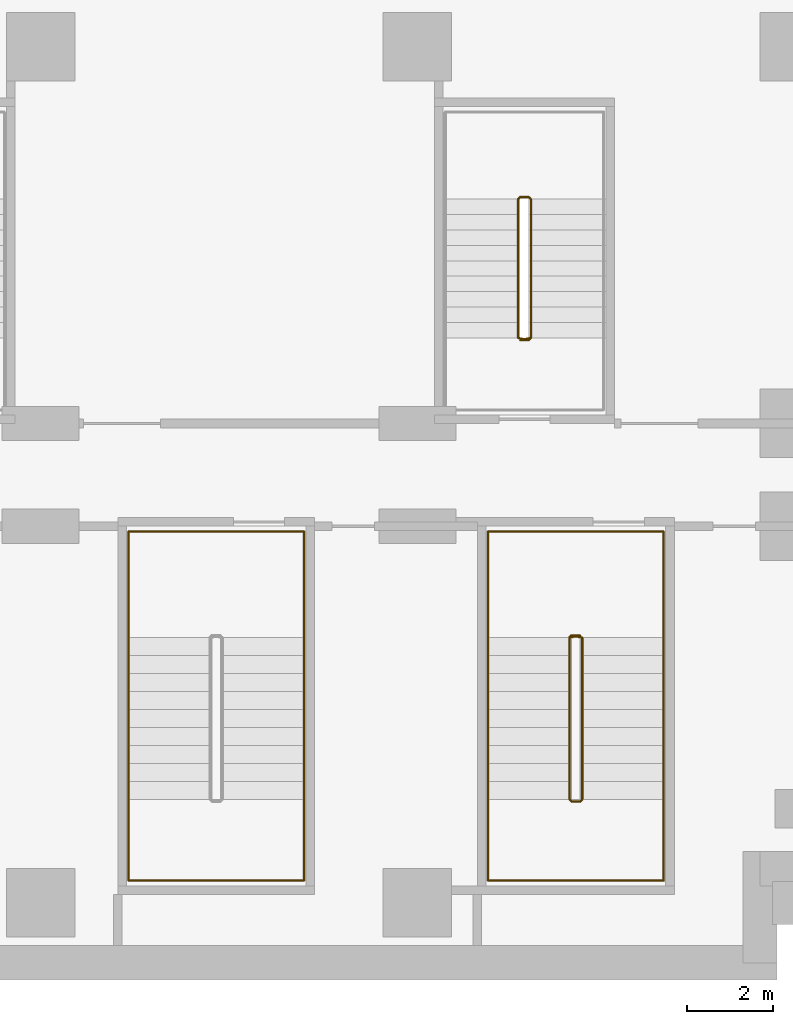
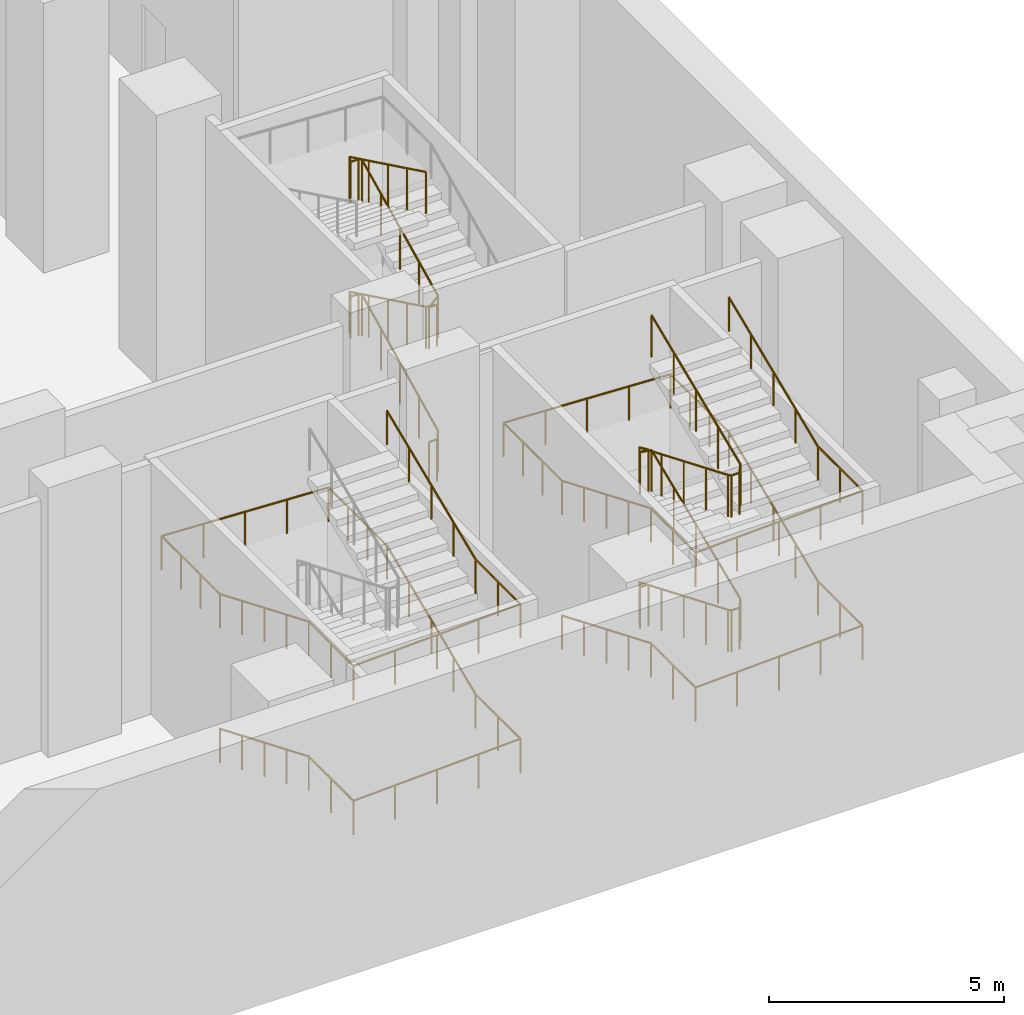
# One storey, part 14 of 15: 4 railings.
"""IFC4 building model written with IfcOpenShell, lengths in metres."""

from ifc_helpers import new_model, si_unit, direction, frame, origin, origin_2d, place, context, subcontext, project, spatial, circle, extrude, material, type_object, element, save


model = new_model("IFC4")

# Units and contexts
model_context = context("Model", 3, precision=1e-05, world=origin(), true_north=direction((0.0, 1.0)))
body_context = subcontext(model_context, "Body", "Model", "MODEL_VIEW")
ifc_project = project(units=[si_unit("LENGTHUNIT", "METRE"), si_unit("AREAUNIT", "SQUARE_METRE"), si_unit("VOLUMEUNIT", "CUBIC_METRE"), si_unit("PLANEANGLEUNIT", "RADIAN"), si_unit("MASSUNIT", "GRAM", prefix="KILO")], contexts=[model_context])

# Site, building, storey
site_placement = place(None, origin())
site = spatial("IfcSite", under=ifc_project, at=site_placement, CompositionType="ELEMENT")
building_placement = place(site_placement, origin())
building = spatial("IfcBuilding", under=site, at=building_placement, Name="Kemantara Hotel Tower", CompositionType="ELEMENT")
storey_placement = place(building_placement, frame((0.0, 0.0, -7.0)))
storey = spatial("IfcBuildingStorey", under=building, at=storey_placement, Name="B1", CompositionType="ELEMENT", Elevation=-7.0)

# Railings
ifc_material = material(Name="Stainless steel balustrade", Category="steel")
railing_type_1 = type_object("IfcRailingType", Name="Stair guard 1100 mm", PredefinedType="GUARDRAIL", material=ifc_material)
railing_1_placement = place(storey_placement, frame((73.75, 14.199951171875, 7.0)))
element("IfcRailing", 1, at=railing_1_placement, inside=storey, type_object=railing_type_1, Name="B1 ST5 stair guard 1", PredefinedType="GUARDRAIL", context=body_context, shape_type="SweptSolid", body=[
    extrude(circle(Radius=0.02392578125, at=origin_2d()), frame((0.0, 0.0, 1.076171875), z_axis=(0.0, 0.899372665325, -0.437182809435), x_axis=(-1.0, 0.0, 0.0)), (0.0, 0.0, 1.0), 3.6025390625),
    extrude(circle(Radius=0.02392578125, at=origin_2d()), frame((0.0, 3.239990234375, -0.4990234375), z_axis=(0.265065253269, 0.265065253269, -0.927081885822), x_axis=(-0.707106781187, 0.707106781187, 0.0)), (0.0, 0.0, 1.0), 0.188720703125),
    extrude(circle(Radius=0.02392578125, at=origin_2d()), frame((0.050048828125, 3.2900390625, -0.673828125), z_axis=(1.0, 0.0, 0.0), x_axis=(0.0, 1.0, 0.0)), (0.0, 0.0, 1.0), 0.199951171875),
    extrude(circle(Radius=0.02392578125, at=origin_2d()), frame((0.25, 3.2900390625, -0.673828125), z_axis=(0.707106781187, -0.707106781187, 0.0), x_axis=(0.707106781187, 0.707106781187, 0.0)), (0.0, 0.0, 1.0), 0.07080078125),
    extrude(circle(Radius=0.02392578125, at=origin_2d()), frame((0.300048828125, 3.239990234375, -0.673828125), z_axis=(0.0, -0.899372665325, -0.437182809435), x_axis=(1.0, 0.0, 0.0)), (0.0, 0.0, 1.0), 3.6025390625),
    extrude(circle(Radius=0.02392578125, at=origin_2d()), frame((0.300048828125, 0.0, -2.2490234375), z_axis=(-0.808359196486, -0.161829721953, -0.566009320196), x_axis=(0.196300278283, -0.98054382908, 0.0)), (0.0, 0.0, 1.0), 0.309326171875),
    extrude(circle(Radius=0.02392578125, at=origin_2d()), frame((0.050048828125, -0.050048828125, -2.423828125), z_axis=(1.0, 0.0, 0.0), x_axis=(0.0, 1.0, 0.0)), (0.0, 0.0, 1.0), 0.199951171875),
    extrude(circle(Radius=0.02392578125, at=origin_2d()), frame((0.25, -0.050048828125, -2.423828125), z_axis=(-0.98054382908, 0.196300278283, 0.0), x_axis=(-0.196300278283, -0.98054382908, 0.0)), (0.0, 0.0, 1.0), 0.2548828125),
    extrude(circle(Radius=0.02392578125, at=origin_2d()), frame((0.0, 0.0, -2.423828125), z_axis=(0.0, 0.899372665325, -0.437182809435), x_axis=(-1.0, 0.0, 0.0)), (0.0, 0.0, 1.0), 3.6025390625),
    extrude(circle(Radius=0.02392578125, at=origin_2d()), frame((0.0, 3.239990234375, -3.9990234375), z_axis=(0.265065253269, 0.265065253269, -0.927081885822), x_axis=(-0.707106781187, 0.707106781187, 0.0)), (0.0, 0.0, 1.0), 0.188720703125),
    extrude(circle(Radius=0.02392578125, at=origin_2d()), frame((0.050048828125, 3.2900390625, -4.173828125), z_axis=(1.0, 0.0, 0.0), x_axis=(0.0, 1.0, 0.0)), (0.0, 0.0, 1.0), 0.199951171875),
    extrude(circle(Radius=0.02392578125, at=origin_2d()), frame((0.25, 3.2900390625, -4.173828125), z_axis=(0.707106781187, -0.707106781187, 0.0), x_axis=(0.707106781187, 0.707106781187, 0.0)), (0.0, 0.0, 1.0), 0.07080078125),
    extrude(circle(Radius=0.02392578125, at=origin_2d()), frame((0.300048828125, 3.239990234375, -4.173828125), z_axis=(0.0, -0.899372665325, -0.437182809435), x_axis=(1.0, 0.0, 0.0)), (0.0, 0.0, 1.0), 3.6025390625),
    extrude(circle(Radius=0.02392578125, at=origin_2d()), frame((0.300048828125, 0.0, -5.7490234375), z_axis=(-0.265065253269, -0.265065253269, -0.927081885822), x_axis=(0.707106781187, -0.707106781187, 0.0)), (0.0, 0.0, 1.0), 0.188720703125),
    extrude(circle(Radius=0.02392578125, at=origin_2d()), frame((0.25, -0.050048828125, -5.923828125), z_axis=(-1.0, 0.0, 0.0), x_axis=(0.0, -1.0, 0.0)), (0.0, 0.0, 1.0), 0.199951171875),
    extrude(circle(Radius=0.02099609375, at=origin_2d()), origin(), (0.0, 0.0, 1.0), 1.052001953125),
    extrude(circle(Radius=0.02099609375, at=origin_2d()), frame((0.0, 0.81005859375, -0.393798828125)), (0.0, 0.0, 1.0), 1.052001953125),
    extrude(circle(Radius=0.02099609375, at=origin_2d()), frame((0.0, 1.6201171875, -0.78759765625)), (0.0, 0.0, 1.0), 1.052001953125),
    extrude(circle(Radius=0.02099609375, at=origin_2d()), frame((0.0, 2.429931640625, -1.18115234375)), (0.0, 0.0, 1.0), 1.052001953125),
    extrude(circle(Radius=0.02099609375, at=origin_2d()), frame((0.0, 3.239990234375, -1.574951171875)), (0.0, 0.0, 1.0), 1.052001953125),
    extrude(circle(Radius=0.02099609375, at=origin_2d()), frame((0.050048828125, 3.2900390625, -1.75)), (0.0, 0.0, 1.0), 1.052001953125),
    extrude(circle(Radius=0.02099609375, at=origin_2d()), frame((0.25, 3.2900390625, -1.75)), (0.0, 0.0, 1.0), 1.052001953125),
    extrude(circle(Radius=0.02099609375, at=origin_2d()), frame((0.300048828125, 3.239990234375, -1.75)), (0.0, 0.0, 1.0), 1.052001953125),
    extrude(circle(Radius=0.02099609375, at=origin_2d()), frame((0.300048828125, 2.429931640625, -2.143798828125)), (0.0, 0.0, 1.0), 1.052001953125),
    extrude(circle(Radius=0.02099609375, at=origin_2d()), frame((0.300048828125, 1.6201171875, -2.53759765625)), (0.0, 0.0, 1.0), 1.052001953125),
    extrude(circle(Radius=0.02099609375, at=origin_2d()), frame((0.300048828125, 0.81005859375, -2.93115234375)), (0.0, 0.0, 1.0), 1.052001953125),
    extrude(circle(Radius=0.02099609375, at=origin_2d()), frame((0.300048828125, 0.0, -3.324951171875)), (0.0, 0.0, 1.0), 1.052001953125),
    extrude(circle(Radius=0.02099609375, at=origin_2d()), frame((0.050048828125, -0.050048828125, -3.5)), (0.0, 0.0, 1.0), 1.052001953125),
    extrude(circle(Radius=0.02099609375, at=origin_2d()), frame((0.25, -0.050048828125, -3.5)), (0.0, 0.0, 1.0), 1.052001953125),
    extrude(circle(Radius=0.02099609375, at=origin_2d()), frame((0.0, 0.0, -3.5)), (0.0, 0.0, 1.0), 1.052001953125),
    extrude(circle(Radius=0.02099609375, at=origin_2d()), frame((0.0, 0.81005859375, -3.893798828125)), (0.0, 0.0, 1.0), 1.052001953125),
    extrude(circle(Radius=0.02099609375, at=origin_2d()), frame((0.0, 1.6201171875, -4.28759765625)), (0.0, 0.0, 1.0), 1.052001953125),
    extrude(circle(Radius=0.02099609375, at=origin_2d()), frame((0.0, 2.429931640625, -4.68115234375)), (0.0, 0.0, 1.0), 1.052001953125),
    extrude(circle(Radius=0.02099609375, at=origin_2d()), frame((0.0, 3.239990234375, -5.074951171875)), (0.0, 0.0, 1.0), 1.052001953125),
    extrude(circle(Radius=0.02099609375, at=origin_2d()), frame((0.050048828125, 3.2900390625, -5.25)), (0.0, 0.0, 1.0), 1.052001953125),
    extrude(circle(Radius=0.02099609375, at=origin_2d()), frame((0.25, 3.2900390625, -5.25)), (0.0, 0.0, 1.0), 1.052001953125),
    extrude(circle(Radius=0.02099609375, at=origin_2d()), frame((0.300048828125, 3.239990234375, -5.25)), (0.0, 0.0, 1.0), 1.052001953125),
    extrude(circle(Radius=0.02099609375, at=origin_2d()), frame((0.300048828125, 2.429931640625, -5.643798828125)), (0.0, 0.0, 1.0), 1.052001953125),
    extrude(circle(Radius=0.02099609375, at=origin_2d()), frame((0.300048828125, 1.6201171875, -6.03759765625)), (0.0, 0.0, 1.0), 1.052001953125),
    extrude(circle(Radius=0.02099609375, at=origin_2d()), frame((0.300048828125, 0.81005859375, -6.43115234375)), (0.0, 0.0, 1.0), 1.052001953125),
    extrude(circle(Radius=0.02099609375, at=origin_2d()), frame((0.300048828125, 0.0, -6.824951171875)), (0.0, 0.0, 1.0), 1.052001953125),
    extrude(circle(Radius=0.02099609375, at=origin_2d()), frame((0.25, -0.050048828125, -7.0)), (0.0, 0.0, 1.0), 1.052001953125),
    extrude(circle(Radius=0.02099609375, at=origin_2d()), frame((0.050048828125, -0.050048828125, -7.0)), (0.0, 0.0, 1.0), 1.052001953125),
])
railing_2_placement = place(storey_placement, frame((75.25, 7.199951171875, 7.0)))
element("IfcRailing", 2, at=railing_2_placement, inside=storey, type_object=railing_type_1, Name="B1 PS5 stair guard 1", PredefinedType="GUARDRAIL", context=body_context, shape_type="SweptSolid", body=[
    extrude(circle(Radius=0.02392578125, at=origin_2d()), frame((0.0, 0.0, 1.076171875), z_axis=(0.0, -0.923082214624, -0.384602684657), x_axis=(1.0, 0.0, 0.0)), (0.0, 0.0, 1.0), 4.094970703125),
    extrude(circle(Radius=0.02392578125, at=origin_2d()), frame((0.0, -3.780029296875, -0.4990234375), z_axis=(-0.265155923931, -0.263862480399, -0.927399011991), x_axis=(0.705375805398, -0.708833529934, 0.0)), (0.0, 0.0, 1.0), 0.188720703125),
    extrude(circle(Radius=0.02392578125, at=origin_2d()), frame((-0.050048828125, -3.829833984375, -0.673828125), z_axis=(-1.0, 0.0, 0.0), x_axis=(0.0, -1.0, 0.0)), (0.0, 0.0, 1.0), 0.199951171875),
    extrude(circle(Radius=0.02392578125, at=origin_2d()), frame((-0.25, -3.829833984375, -0.673828125), z_axis=(-0.708833529934, 0.705375805398, 0.0), x_axis=(-0.705375805398, -0.708833529934, 0.0)), (0.0, 0.0, 1.0), 0.070556640625),
    extrude(circle(Radius=0.02392578125, at=origin_2d()), frame((-0.300048828125, -3.780029296875, -0.673828125), z_axis=(0.0, 0.923082214624, -0.384602684657), x_axis=(-1.0, 0.0, 0.0)), (0.0, 0.0, 1.0), 4.094970703125),
    extrude(circle(Radius=0.02392578125, at=origin_2d()), frame((-0.300048828125, 0.0, -2.2490234375), z_axis=(0.808359196486, 0.161829721953, -0.566009320196), x_axis=(-0.196300278283, 0.98054382908, 0.0)), (0.0, 0.0, 1.0), 0.309326171875),
    extrude(circle(Radius=0.02392578125, at=origin_2d()), frame((-0.050048828125, 0.050048828125, -2.423828125), z_axis=(-1.0, 0.0, 0.0), x_axis=(0.0, -1.0, 0.0)), (0.0, 0.0, 1.0), 0.199951171875),
    extrude(circle(Radius=0.02392578125, at=origin_2d()), frame((-0.25, 0.050048828125, -2.423828125), z_axis=(0.98054382908, -0.196300278283, 0.0), x_axis=(0.196300278283, 0.98054382908, 0.0)), (0.0, 0.0, 1.0), 0.2548828125),
    extrude(circle(Radius=0.02392578125, at=origin_2d()), frame((0.0, 0.0, -2.423828125), z_axis=(0.0, -0.923082214624, -0.384602684657), x_axis=(1.0, 0.0, 0.0)), (0.0, 0.0, 1.0), 4.094970703125),
    extrude(circle(Radius=0.02392578125, at=origin_2d()), frame((0.0, -3.780029296875, -3.9990234375), z_axis=(-0.265155923931, -0.263862480399, -0.927399011991), x_axis=(0.705375805398, -0.708833529934, 0.0)), (0.0, 0.0, 1.0), 0.188720703125),
    extrude(circle(Radius=0.02392578125, at=origin_2d()), frame((-0.050048828125, -3.829833984375, -4.173828125), z_axis=(-1.0, 0.0, 0.0), x_axis=(0.0, -1.0, 0.0)), (0.0, 0.0, 1.0), 0.199951171875),
    extrude(circle(Radius=0.02392578125, at=origin_2d()), frame((-0.25, -3.829833984375, -4.173828125), z_axis=(-0.708833529934, 0.705375805398, 0.0), x_axis=(-0.705375805398, -0.708833529934, 0.0)), (0.0, 0.0, 1.0), 0.070556640625),
    extrude(circle(Radius=0.02392578125, at=origin_2d()), frame((-0.300048828125, -3.780029296875, -4.173828125), z_axis=(0.0, 0.923082214624, -0.384602684657), x_axis=(-1.0, 0.0, 0.0)), (0.0, 0.0, 1.0), 4.094970703125),
    extrude(circle(Radius=0.02392578125, at=origin_2d()), frame((-0.300048828125, 0.0, -5.7490234375), z_axis=(0.265065253269, 0.265065253269, -0.927081885822), x_axis=(-0.707106781187, 0.707106781187, 0.0)), (0.0, 0.0, 1.0), 0.188720703125),
    extrude(circle(Radius=0.02392578125, at=origin_2d()), frame((-0.25, 0.050048828125, -5.923828125), z_axis=(1.0, 0.0, 0.0), x_axis=(0.0, 1.0, 0.0)), (0.0, 0.0, 1.0), 0.199951171875),
    extrude(circle(Radius=0.02099609375, at=origin_2d()), origin(), (0.0, 0.0, 1.0), 1.052001953125),
    extrude(circle(Radius=0.02099609375, at=origin_2d()), frame((0.0, -0.945068359375, -0.393798828125)), (0.0, 0.0, 1.0), 1.052001953125),
    extrude(circle(Radius=0.02099609375, at=origin_2d()), frame((0.0, -1.89013671875, -0.78759765625)), (0.0, 0.0, 1.0), 1.052001953125),
    extrude(circle(Radius=0.02099609375, at=origin_2d()), frame((0.0, -2.8349609375, -1.18115234375)), (0.0, 0.0, 1.0), 1.052001953125),
    extrude(circle(Radius=0.02099609375, at=origin_2d()), frame((0.0, -3.780029296875, -1.574951171875)), (0.0, 0.0, 1.0), 1.052001953125),
    extrude(circle(Radius=0.02099609375, at=origin_2d()), frame((-0.050048828125, -3.829833984375, -1.75)), (0.0, 0.0, 1.0), 1.052001953125),
    extrude(circle(Radius=0.02099609375, at=origin_2d()), frame((-0.25, -3.829833984375, -1.75)), (0.0, 0.0, 1.0), 1.052001953125),
    extrude(circle(Radius=0.02099609375, at=origin_2d()), frame((-0.300048828125, -3.780029296875, -1.75)), (0.0, 0.0, 1.0), 1.052001953125),
    extrude(circle(Radius=0.02099609375, at=origin_2d()), frame((-0.300048828125, -2.8349609375, -2.143798828125)), (0.0, 0.0, 1.0), 1.052001953125),
    extrude(circle(Radius=0.02099609375, at=origin_2d()), frame((-0.300048828125, -1.89013671875, -2.53759765625)), (0.0, 0.0, 1.0), 1.052001953125),
    extrude(circle(Radius=0.02099609375, at=origin_2d()), frame((-0.300048828125, -0.945068359375, -2.93115234375)), (0.0, 0.0, 1.0), 1.052001953125),
    extrude(circle(Radius=0.02099609375, at=origin_2d()), frame((-0.300048828125, 0.0, -3.324951171875)), (0.0, 0.0, 1.0), 1.052001953125),
    extrude(circle(Radius=0.02099609375, at=origin_2d()), frame((-0.050048828125, 0.050048828125, -3.5)), (0.0, 0.0, 1.0), 1.052001953125),
    extrude(circle(Radius=0.02099609375, at=origin_2d()), frame((-0.25, 0.050048828125, -3.5)), (0.0, 0.0, 1.0), 1.052001953125),
    extrude(circle(Radius=0.02099609375, at=origin_2d()), frame((0.0, 0.0, -3.5)), (0.0, 0.0, 1.0), 1.052001953125),
    extrude(circle(Radius=0.02099609375, at=origin_2d()), frame((0.0, -0.945068359375, -3.893798828125)), (0.0, 0.0, 1.0), 1.052001953125),
    extrude(circle(Radius=0.02099609375, at=origin_2d()), frame((0.0, -1.89013671875, -4.28759765625)), (0.0, 0.0, 1.0), 1.052001953125),
    extrude(circle(Radius=0.02099609375, at=origin_2d()), frame((0.0, -2.8349609375, -4.68115234375)), (0.0, 0.0, 1.0), 1.052001953125),
    extrude(circle(Radius=0.02099609375, at=origin_2d()), frame((0.0, -3.780029296875, -5.074951171875)), (0.0, 0.0, 1.0), 1.052001953125),
    extrude(circle(Radius=0.02099609375, at=origin_2d()), frame((-0.050048828125, -3.829833984375, -5.25)), (0.0, 0.0, 1.0), 1.052001953125),
    extrude(circle(Radius=0.02099609375, at=origin_2d()), frame((-0.25, -3.829833984375, -5.25)), (0.0, 0.0, 1.0), 1.052001953125),
    extrude(circle(Radius=0.02099609375, at=origin_2d()), frame((-0.300048828125, -3.780029296875, -5.25)), (0.0, 0.0, 1.0), 1.052001953125),
    extrude(circle(Radius=0.02099609375, at=origin_2d()), frame((-0.300048828125, -2.8349609375, -5.643798828125)), (0.0, 0.0, 1.0), 1.052001953125),
    extrude(circle(Radius=0.02099609375, at=origin_2d()), frame((-0.300048828125, -1.89013671875, -6.03759765625)), (0.0, 0.0, 1.0), 1.052001953125),
    extrude(circle(Radius=0.02099609375, at=origin_2d()), frame((-0.300048828125, -0.945068359375, -6.43115234375)), (0.0, 0.0, 1.0), 1.052001953125),
    extrude(circle(Radius=0.02099609375, at=origin_2d()), frame((-0.300048828125, 0.0, -6.824951171875)), (0.0, 0.0, 1.0), 1.052001953125),
    extrude(circle(Radius=0.02099609375, at=origin_2d()), frame((-0.25, 0.050048828125, -7.0)), (0.0, 0.0, 1.0), 1.052001953125),
    extrude(circle(Radius=0.02099609375, at=origin_2d()), frame((-0.050048828125, 0.050048828125, -7.0)), (0.0, 0.0, 1.0), 1.052001953125),
])
railing_type_2 = type_object("IfcRailingType", Name="Stair handrail 900 mm", PredefinedType="HANDRAIL", material=ifc_material)
railing_3_placement = place(storey_placement, frame((64.64990234375, 7.199951171875, 0.175048828125)))
element("IfcRailing", 3, at=railing_3_placement, inside=storey, type_object=railing_type_2, Name="B1 PS4 stair handrail 1", PredefinedType="HANDRAIL", context=body_context, shape_type="SweptSolid", body=[
    extrude(circle(Radius=0.02392578125, at=origin_2d()), frame((0.0, 0.0, 0.8759765625), z_axis=(0.0, -0.923082214624, 0.384602684657), x_axis=(1.0, 0.0, 0.0)), (0.0, 0.0, 1.0), 4.094970703125),
    extrude(circle(Radius=0.02392578125, at=origin_2d()), frame((0.0, -3.780029296875, 2.45068359375), z_axis=(0.0, -1.0, 0.0), x_axis=(1.0, 0.0, 0.0)), (0.0, 0.0, 1.0), 1.89990234375),
    extrude(circle(Radius=0.02392578125, at=origin_2d()), frame((0.0, -5.679931640625, 2.45068359375), z_axis=(0.999089862934, 0.0, 0.042654961994), x_axis=(0.0, 1.0, 0.0)), (0.0, 0.0, 1.0), 4.103759765625),
    extrude(circle(Radius=0.02392578125, at=origin_2d()), frame((4.10009765625, -5.679931640625, 2.6259765625), z_axis=(0.0, 1.0, 0.0), x_axis=(-1.0, 0.0, 0.0)), (0.0, 0.0, 1.0), 1.89990234375),
    extrude(circle(Radius=0.02392578125, at=origin_2d()), frame((4.10009765625, -3.780029296875, 2.6259765625), z_axis=(0.0, 0.923082214624, 0.384602684657), x_axis=(-1.0, 0.0, 0.0)), (0.0, 0.0, 1.0), 4.094970703125),
    extrude(circle(Radius=0.02392578125, at=origin_2d()), frame((4.10009765625, 0.0, 4.20068359375), z_axis=(0.0, 1.0, 0.0), x_axis=(-1.0, 0.0, 0.0)), (0.0, 0.0, 1.0), 2.47998046875),
    extrude(circle(Radius=0.02392578125, at=origin_2d()), frame((4.10009765625, 2.47998046875, 4.20068359375), z_axis=(-0.999089862934, 0.0, 0.042654961994), x_axis=(0.0, -1.0, 0.0)), (0.0, 0.0, 1.0), 4.103759765625),
    extrude(circle(Radius=0.02392578125, at=origin_2d()), frame((0.0, 2.47998046875, 4.3759765625), z_axis=(0.0, -1.0, 0.0), x_axis=(1.0, 0.0, 0.0)), (0.0, 0.0, 1.0), 2.47998046875),
    extrude(circle(Radius=0.02392578125, at=origin_2d()), frame((0.0, 0.0, 4.3759765625), z_axis=(0.0, -0.923082214624, 0.384602684657), x_axis=(1.0, 0.0, 0.0)), (0.0, 0.0, 1.0), 4.094970703125),
    extrude(circle(Radius=0.02392578125, at=origin_2d()), frame((0.0, -3.780029296875, 5.95068359375), z_axis=(0.0, -1.0, 0.0), x_axis=(1.0, 0.0, 0.0)), (0.0, 0.0, 1.0), 1.89990234375),
    extrude(circle(Radius=0.02392578125, at=origin_2d()), frame((0.0, -5.679931640625, 5.95068359375), z_axis=(0.999089862934, 0.0, 0.042654961994), x_axis=(0.0, 1.0, 0.0)), (0.0, 0.0, 1.0), 4.103759765625),
    extrude(circle(Radius=0.02392578125, at=origin_2d()), frame((4.10009765625, -5.679931640625, 6.1259765625), z_axis=(0.0, 1.0, 0.0), x_axis=(-1.0, 0.0, 0.0)), (0.0, 0.0, 1.0), 1.89990234375),
    extrude(circle(Radius=0.02392578125, at=origin_2d()), frame((4.10009765625, -3.780029296875, 6.1259765625), z_axis=(0.0, 0.923082214624, 0.384602684657), x_axis=(-1.0, 0.0, 0.0)), (0.0, 0.0, 1.0), 4.094970703125),
    extrude(circle(Radius=0.02099609375, at=origin_2d()), origin(), (0.0, 0.0, 1.0), 0.851806640625),
    extrude(circle(Radius=0.02099609375, at=origin_2d()), frame((0.0, -0.945068359375, 0.393798828125)), (0.0, 0.0, 1.0), 0.851806640625),
    extrude(circle(Radius=0.02099609375, at=origin_2d()), frame((0.0, -1.89013671875, 0.78759765625)), (0.0, 0.0, 1.0), 0.851806640625),
    extrude(circle(Radius=0.02099609375, at=origin_2d()), frame((0.0, -2.8349609375, 1.18115234375)), (0.0, 0.0, 1.0), 0.851806640625),
    extrude(circle(Radius=0.02099609375, at=origin_2d()), frame((0.0, -3.780029296875, 1.574951171875)), (0.0, 0.0, 1.0), 0.851806640625),
    extrude(circle(Radius=0.02099609375, at=origin_2d()), frame((0.0, -4.72998046875, 1.574951171875)), (0.0, 0.0, 1.0), 0.851806640625),
    extrude(circle(Radius=0.02099609375, at=origin_2d()), frame((0.0, -5.679931640625, 1.574951171875)), (0.0, 0.0, 1.0), 0.851806640625),
    extrude(circle(Radius=0.02099609375, at=origin_2d()), frame((1.02490234375, -5.679931640625, 1.61865234375)), (0.0, 0.0, 1.0), 0.851806640625),
    extrude(circle(Radius=0.02099609375, at=origin_2d()), frame((2.050048828125, -5.679931640625, 1.66259765625)), (0.0, 0.0, 1.0), 0.851806640625),
    extrude(circle(Radius=0.02099609375, at=origin_2d()), frame((3.0751953125, -5.679931640625, 1.706298828125)), (0.0, 0.0, 1.0), 0.851806640625),
    extrude(circle(Radius=0.02099609375, at=origin_2d()), frame((4.10009765625, -5.679931640625, 1.75)), (0.0, 0.0, 1.0), 0.851806640625),
    extrude(circle(Radius=0.02099609375, at=origin_2d()), frame((4.10009765625, -4.72998046875, 1.75)), (0.0, 0.0, 1.0), 0.851806640625),
    extrude(circle(Radius=0.02099609375, at=origin_2d()), frame((4.10009765625, -3.780029296875, 1.75)), (0.0, 0.0, 1.0), 0.851806640625),
    extrude(circle(Radius=0.02099609375, at=origin_2d()), frame((4.10009765625, -2.8349609375, 2.143798828125)), (0.0, 0.0, 1.0), 0.851806640625),
    extrude(circle(Radius=0.02099609375, at=origin_2d()), frame((4.10009765625, -1.89013671875, 2.53759765625)), (0.0, 0.0, 1.0), 0.851806640625),
    extrude(circle(Radius=0.02099609375, at=origin_2d()), frame((4.10009765625, -0.945068359375, 2.93115234375)), (0.0, 0.0, 1.0), 0.851806640625),
    extrude(circle(Radius=0.02099609375, at=origin_2d()), frame((4.10009765625, 0.0, 3.324951171875)), (0.0, 0.0, 1.0), 0.851806640625),
    extrude(circle(Radius=0.02099609375, at=origin_2d()), frame((4.10009765625, 0.82666015625, 3.324951171875)), (0.0, 0.0, 1.0), 0.851806640625),
    extrude(circle(Radius=0.02099609375, at=origin_2d()), frame((4.10009765625, 1.6533203125, 3.324951171875)), (0.0, 0.0, 1.0), 0.851806640625),
    extrude(circle(Radius=0.02099609375, at=origin_2d()), frame((4.10009765625, 2.47998046875, 3.324951171875)), (0.0, 0.0, 1.0), 0.851806640625),
    extrude(circle(Radius=0.02099609375, at=origin_2d()), frame((3.0751953125, 2.47998046875, 3.36865234375)), (0.0, 0.0, 1.0), 0.851806640625),
    extrude(circle(Radius=0.02099609375, at=origin_2d()), frame((2.050048828125, 2.47998046875, 3.41259765625)), (0.0, 0.0, 1.0), 0.851806640625),
    extrude(circle(Radius=0.02099609375, at=origin_2d()), frame((1.02490234375, 2.47998046875, 3.456298828125)), (0.0, 0.0, 1.0), 0.851806640625),
    extrude(circle(Radius=0.02099609375, at=origin_2d()), frame((0.0, 2.47998046875, 3.5)), (0.0, 0.0, 1.0), 0.851806640625),
    extrude(circle(Radius=0.02099609375, at=origin_2d()), frame((0.0, 1.6533203125, 3.5)), (0.0, 0.0, 1.0), 0.851806640625),
    extrude(circle(Radius=0.02099609375, at=origin_2d()), frame((0.0, 0.82666015625, 3.5)), (0.0, 0.0, 1.0), 0.851806640625),
    extrude(circle(Radius=0.02099609375, at=origin_2d()), frame((0.0, 0.0, 3.5)), (0.0, 0.0, 1.0), 0.851806640625),
    extrude(circle(Radius=0.02099609375, at=origin_2d()), frame((0.0, -0.945068359375, 3.893798828125)), (0.0, 0.0, 1.0), 0.851806640625),
    extrude(circle(Radius=0.02099609375, at=origin_2d()), frame((0.0, -1.89013671875, 4.28759765625)), (0.0, 0.0, 1.0), 0.851806640625),
    extrude(circle(Radius=0.02099609375, at=origin_2d()), frame((0.0, -2.8349609375, 4.68115234375)), (0.0, 0.0, 1.0), 0.851806640625),
    extrude(circle(Radius=0.02099609375, at=origin_2d()), frame((0.0, -3.780029296875, 5.074951171875)), (0.0, 0.0, 1.0), 0.851806640625),
    extrude(circle(Radius=0.02099609375, at=origin_2d()), frame((0.0, -4.72998046875, 5.074951171875)), (0.0, 0.0, 1.0), 0.851806640625),
    extrude(circle(Radius=0.02099609375, at=origin_2d()), frame((0.0, -5.679931640625, 5.074951171875)), (0.0, 0.0, 1.0), 0.851806640625),
    extrude(circle(Radius=0.02099609375, at=origin_2d()), frame((1.02490234375, -5.679931640625, 5.11865234375)), (0.0, 0.0, 1.0), 0.851806640625),
    extrude(circle(Radius=0.02099609375, at=origin_2d()), frame((2.050048828125, -5.679931640625, 5.16259765625)), (0.0, 0.0, 1.0), 0.851806640625),
    extrude(circle(Radius=0.02099609375, at=origin_2d()), frame((3.0751953125, -5.679931640625, 5.206298828125)), (0.0, 0.0, 1.0), 0.851806640625),
    extrude(circle(Radius=0.02099609375, at=origin_2d()), frame((4.10009765625, -5.679931640625, 5.25)), (0.0, 0.0, 1.0), 0.851806640625),
    extrude(circle(Radius=0.02099609375, at=origin_2d()), frame((4.10009765625, -4.72998046875, 5.25)), (0.0, 0.0, 1.0), 0.851806640625),
    extrude(circle(Radius=0.02099609375, at=origin_2d()), frame((4.10009765625, -3.780029296875, 5.25)), (0.0, 0.0, 1.0), 0.851806640625),
    extrude(circle(Radius=0.02099609375, at=origin_2d()), frame((4.10009765625, -2.8349609375, 5.643798828125)), (0.0, 0.0, 1.0), 0.851806640625),
    extrude(circle(Radius=0.02099609375, at=origin_2d()), frame((4.10009765625, -1.89013671875, 6.03759765625)), (0.0, 0.0, 1.0), 0.851806640625),
    extrude(circle(Radius=0.02099609375, at=origin_2d()), frame((4.10009765625, -0.945068359375, 6.43115234375)), (0.0, 0.0, 1.0), 0.851806640625),
    extrude(circle(Radius=0.02099609375, at=origin_2d()), frame((4.10009765625, 0.0, 6.824951171875)), (0.0, 0.0, 1.0), 0.851806640625),
])
railing_4_placement = place(storey_placement, frame((73.050048828125, 7.199951171875, 0.175048828125)))
element("IfcRailing", 4, at=railing_4_placement, inside=storey, type_object=railing_type_2, Name="B1 PS5 stair handrail 1", PredefinedType="HANDRAIL", context=body_context, shape_type="SweptSolid", body=[
    extrude(circle(Radius=0.02392578125, at=origin_2d()), frame((0.0, 0.0, 0.8759765625), z_axis=(0.0, -0.923082214624, 0.384602684657), x_axis=(1.0, 0.0, 0.0)), (0.0, 0.0, 1.0), 4.094970703125),
    extrude(circle(Radius=0.02392578125, at=origin_2d()), frame((0.0, -3.780029296875, 2.45068359375), z_axis=(0.0, -1.0, 0.0), x_axis=(1.0, 0.0, 0.0)), (0.0, 0.0, 1.0), 1.89990234375),
    extrude(circle(Radius=0.02392578125, at=origin_2d()), frame((0.0, -5.679931640625, 2.45068359375), z_axis=(0.999089754684, 0.0, 0.042657497416), x_axis=(0.0, 1.0, 0.0)), (0.0, 0.0, 1.0), 4.103515625),
    extrude(circle(Radius=0.02392578125, at=origin_2d()), frame((4.099853515625, -5.679931640625, 2.6259765625), z_axis=(0.0, 1.0, 0.0), x_axis=(-1.0, 0.0, 0.0)), (0.0, 0.0, 1.0), 1.89990234375),
    extrude(circle(Radius=0.02392578125, at=origin_2d()), frame((4.099853515625, -3.780029296875, 2.6259765625), z_axis=(0.0, 0.923082214624, 0.384602684657), x_axis=(-1.0, 0.0, 0.0)), (0.0, 0.0, 1.0), 4.094970703125),
    extrude(circle(Radius=0.02392578125, at=origin_2d()), frame((4.099853515625, 0.0, 4.20068359375), z_axis=(0.0, 1.0, 0.0), x_axis=(-1.0, 0.0, 0.0)), (0.0, 0.0, 1.0), 2.47998046875),
    extrude(circle(Radius=0.02392578125, at=origin_2d()), frame((4.099853515625, 2.47998046875, 4.20068359375), z_axis=(-0.999089754684, 0.0, 0.042657497416), x_axis=(0.0, -1.0, 0.0)), (0.0, 0.0, 1.0), 4.103515625),
    extrude(circle(Radius=0.02392578125, at=origin_2d()), frame((0.0, 2.47998046875, 4.3759765625), z_axis=(0.0, -1.0, 0.0), x_axis=(1.0, 0.0, 0.0)), (0.0, 0.0, 1.0), 2.47998046875),
    extrude(circle(Radius=0.02392578125, at=origin_2d()), frame((0.0, 0.0, 4.3759765625), z_axis=(0.0, -0.923082214624, 0.384602684657), x_axis=(1.0, 0.0, 0.0)), (0.0, 0.0, 1.0), 4.094970703125),
    extrude(circle(Radius=0.02392578125, at=origin_2d()), frame((0.0, -3.780029296875, 5.95068359375), z_axis=(0.0, -1.0, 0.0), x_axis=(1.0, 0.0, 0.0)), (0.0, 0.0, 1.0), 1.89990234375),
    extrude(circle(Radius=0.02392578125, at=origin_2d()), frame((0.0, -5.679931640625, 5.95068359375), z_axis=(0.999089754684, 0.0, 0.042657497416), x_axis=(0.0, 1.0, 0.0)), (0.0, 0.0, 1.0), 4.103515625),
    extrude(circle(Radius=0.02392578125, at=origin_2d()), frame((4.099853515625, -5.679931640625, 6.1259765625), z_axis=(0.0, 1.0, 0.0), x_axis=(-1.0, 0.0, 0.0)), (0.0, 0.0, 1.0), 1.89990234375),
    extrude(circle(Radius=0.02392578125, at=origin_2d()), frame((4.099853515625, -3.780029296875, 6.1259765625), z_axis=(0.0, 0.923082214624, 0.384602684657), x_axis=(-1.0, 0.0, 0.0)), (0.0, 0.0, 1.0), 4.094970703125),
    extrude(circle(Radius=0.02099609375, at=origin_2d()), origin(), (0.0, 0.0, 1.0), 0.851806640625),
    extrude(circle(Radius=0.02099609375, at=origin_2d()), frame((0.0, -0.945068359375, 0.393798828125)), (0.0, 0.0, 1.0), 0.851806640625),
    extrude(circle(Radius=0.02099609375, at=origin_2d()), frame((0.0, -1.89013671875, 0.78759765625)), (0.0, 0.0, 1.0), 0.851806640625),
    extrude(circle(Radius=0.02099609375, at=origin_2d()), frame((0.0, -2.8349609375, 1.18115234375)), (0.0, 0.0, 1.0), 0.851806640625),
    extrude(circle(Radius=0.02099609375, at=origin_2d()), frame((0.0, -3.780029296875, 1.574951171875)), (0.0, 0.0, 1.0), 0.851806640625),
    extrude(circle(Radius=0.02099609375, at=origin_2d()), frame((0.0, -4.72998046875, 1.574951171875)), (0.0, 0.0, 1.0), 0.851806640625),
    extrude(circle(Radius=0.02099609375, at=origin_2d()), frame((0.0, -5.679931640625, 1.574951171875)), (0.0, 0.0, 1.0), 0.851806640625),
    extrude(circle(Radius=0.02099609375, at=origin_2d()), frame((1.02490234375, -5.679931640625, 1.61865234375)), (0.0, 0.0, 1.0), 0.851806640625),
    extrude(circle(Radius=0.02099609375, at=origin_2d()), frame((2.0498046875, -5.679931640625, 1.66259765625)), (0.0, 0.0, 1.0), 0.851806640625),
    extrude(circle(Radius=0.02099609375, at=origin_2d()), frame((3.074951171875, -5.679931640625, 1.706298828125)), (0.0, 0.0, 1.0), 0.851806640625),
    extrude(circle(Radius=0.02099609375, at=origin_2d()), frame((4.099853515625, -5.679931640625, 1.75)), (0.0, 0.0, 1.0), 0.851806640625),
    extrude(circle(Radius=0.02099609375, at=origin_2d()), frame((4.099853515625, -4.72998046875, 1.75)), (0.0, 0.0, 1.0), 0.851806640625),
    extrude(circle(Radius=0.02099609375, at=origin_2d()), frame((4.099853515625, -3.780029296875, 1.75)), (0.0, 0.0, 1.0), 0.851806640625),
    extrude(circle(Radius=0.02099609375, at=origin_2d()), frame((4.099853515625, -2.8349609375, 2.143798828125)), (0.0, 0.0, 1.0), 0.851806640625),
    extrude(circle(Radius=0.02099609375, at=origin_2d()), frame((4.099853515625, -1.89013671875, 2.53759765625)), (0.0, 0.0, 1.0), 0.851806640625),
    extrude(circle(Radius=0.02099609375, at=origin_2d()), frame((4.099853515625, -0.945068359375, 2.93115234375)), (0.0, 0.0, 1.0), 0.851806640625),
    extrude(circle(Radius=0.02099609375, at=origin_2d()), frame((4.099853515625, 0.0, 3.324951171875)), (0.0, 0.0, 1.0), 0.851806640625),
    extrude(circle(Radius=0.02099609375, at=origin_2d()), frame((4.099853515625, 0.82666015625, 3.324951171875)), (0.0, 0.0, 1.0), 0.851806640625),
    extrude(circle(Radius=0.02099609375, at=origin_2d()), frame((4.099853515625, 1.6533203125, 3.324951171875)), (0.0, 0.0, 1.0), 0.851806640625),
    extrude(circle(Radius=0.02099609375, at=origin_2d()), frame((4.099853515625, 2.47998046875, 3.324951171875)), (0.0, 0.0, 1.0), 0.851806640625),
    extrude(circle(Radius=0.02099609375, at=origin_2d()), frame((3.074951171875, 2.47998046875, 3.36865234375)), (0.0, 0.0, 1.0), 0.851806640625),
    extrude(circle(Radius=0.02099609375, at=origin_2d()), frame((2.0498046875, 2.47998046875, 3.41259765625)), (0.0, 0.0, 1.0), 0.851806640625),
    extrude(circle(Radius=0.02099609375, at=origin_2d()), frame((1.02490234375, 2.47998046875, 3.456298828125)), (0.0, 0.0, 1.0), 0.851806640625),
    extrude(circle(Radius=0.02099609375, at=origin_2d()), frame((0.0, 2.47998046875, 3.5)), (0.0, 0.0, 1.0), 0.851806640625),
    extrude(circle(Radius=0.02099609375, at=origin_2d()), frame((0.0, 1.6533203125, 3.5)), (0.0, 0.0, 1.0), 0.851806640625),
    extrude(circle(Radius=0.02099609375, at=origin_2d()), frame((0.0, 0.82666015625, 3.5)), (0.0, 0.0, 1.0), 0.851806640625),
    extrude(circle(Radius=0.02099609375, at=origin_2d()), frame((0.0, 0.0, 3.5)), (0.0, 0.0, 1.0), 0.851806640625),
    extrude(circle(Radius=0.02099609375, at=origin_2d()), frame((0.0, -0.945068359375, 3.893798828125)), (0.0, 0.0, 1.0), 0.851806640625),
    extrude(circle(Radius=0.02099609375, at=origin_2d()), frame((0.0, -1.89013671875, 4.28759765625)), (0.0, 0.0, 1.0), 0.851806640625),
    extrude(circle(Radius=0.02099609375, at=origin_2d()), frame((0.0, -2.8349609375, 4.68115234375)), (0.0, 0.0, 1.0), 0.851806640625),
    extrude(circle(Radius=0.02099609375, at=origin_2d()), frame((0.0, -3.780029296875, 5.074951171875)), (0.0, 0.0, 1.0), 0.851806640625),
    extrude(circle(Radius=0.02099609375, at=origin_2d()), frame((0.0, -4.72998046875, 5.074951171875)), (0.0, 0.0, 1.0), 0.851806640625),
    extrude(circle(Radius=0.02099609375, at=origin_2d()), frame((0.0, -5.679931640625, 5.074951171875)), (0.0, 0.0, 1.0), 0.851806640625),
    extrude(circle(Radius=0.02099609375, at=origin_2d()), frame((1.02490234375, -5.679931640625, 5.11865234375)), (0.0, 0.0, 1.0), 0.851806640625),
    extrude(circle(Radius=0.02099609375, at=origin_2d()), frame((2.0498046875, -5.679931640625, 5.16259765625)), (0.0, 0.0, 1.0), 0.851806640625),
    extrude(circle(Radius=0.02099609375, at=origin_2d()), frame((3.074951171875, -5.679931640625, 5.206298828125)), (0.0, 0.0, 1.0), 0.851806640625),
    extrude(circle(Radius=0.02099609375, at=origin_2d()), frame((4.099853515625, -5.679931640625, 5.25)), (0.0, 0.0, 1.0), 0.851806640625),
    extrude(circle(Radius=0.02099609375, at=origin_2d()), frame((4.099853515625, -4.72998046875, 5.25)), (0.0, 0.0, 1.0), 0.851806640625),
    extrude(circle(Radius=0.02099609375, at=origin_2d()), frame((4.099853515625, -3.780029296875, 5.25)), (0.0, 0.0, 1.0), 0.851806640625),
    extrude(circle(Radius=0.02099609375, at=origin_2d()), frame((4.099853515625, -2.8349609375, 5.643798828125)), (0.0, 0.0, 1.0), 0.851806640625),
    extrude(circle(Radius=0.02099609375, at=origin_2d()), frame((4.099853515625, -1.89013671875, 6.03759765625)), (0.0, 0.0, 1.0), 0.851806640625),
    extrude(circle(Radius=0.02099609375, at=origin_2d()), frame((4.099853515625, -0.945068359375, 6.43115234375)), (0.0, 0.0, 1.0), 0.851806640625),
    extrude(circle(Radius=0.02099609375, at=origin_2d()), frame((4.099853515625, 0.0, 6.824951171875)), (0.0, 0.0, 1.0), 0.851806640625),
])

save(model, "model.ifc")
